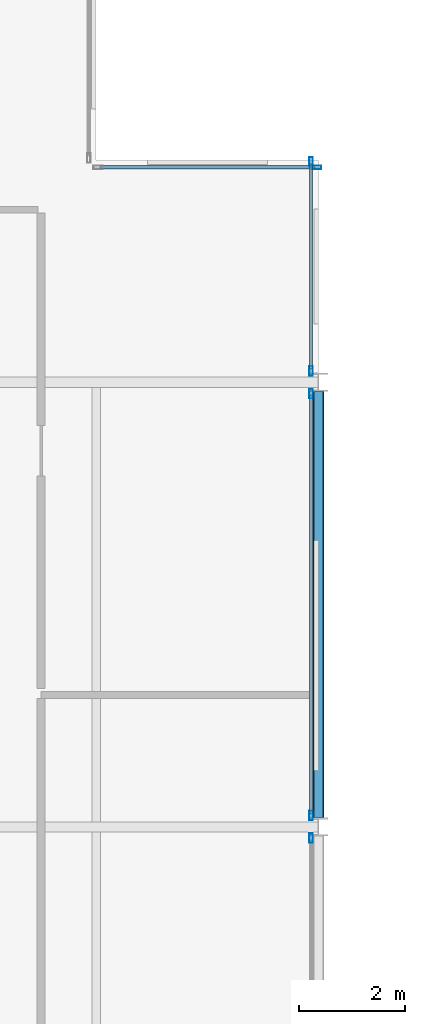
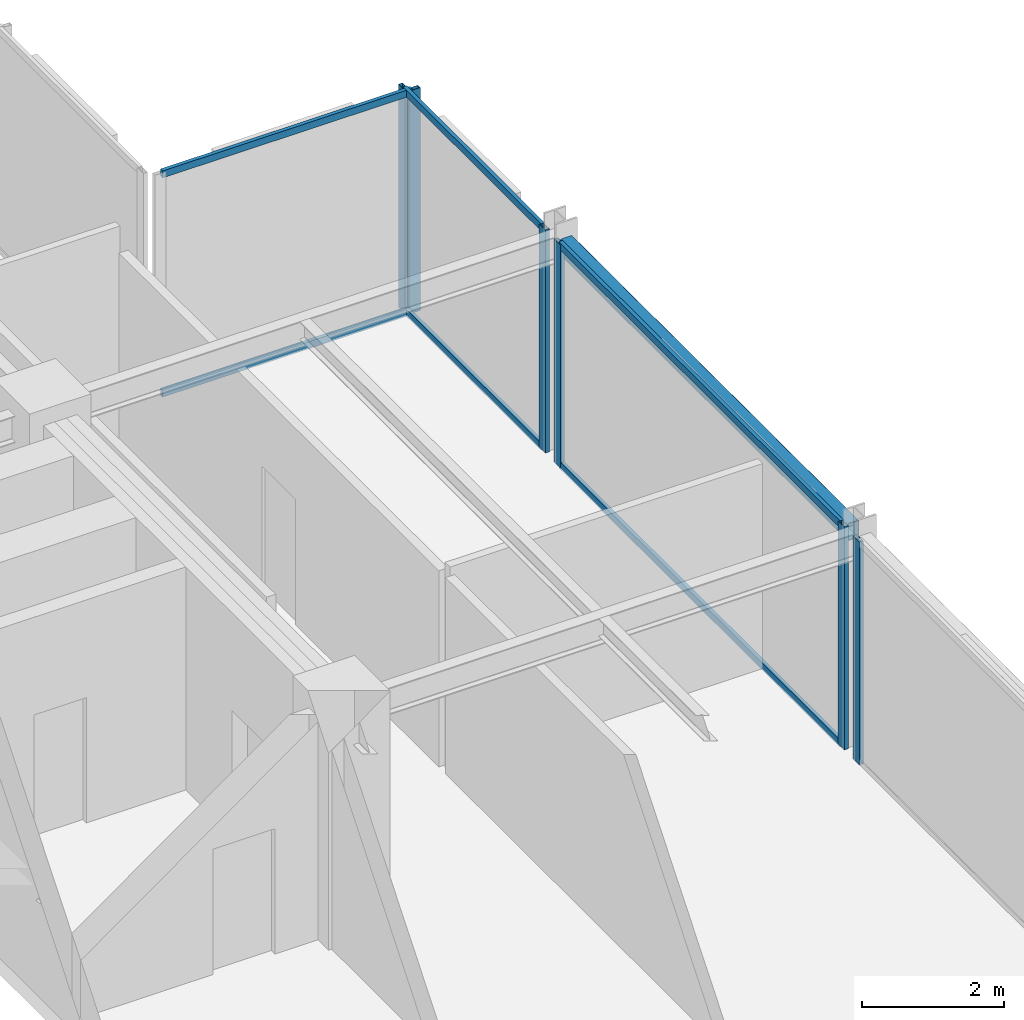
# One storey, part 22 of 29: 12 members, 1 beam, 4 elements without a shape of their own.
"""IFC4 building model written with IfcOpenShell, lengths in metres."""

from ifc_helpers import new_model, si_unit, direction, frame, origin, origin_2d, place, context, subcontext, project, spatial, hollow_rectangle, extrude, material, layer, layer_set, material_profile, profile_set, type_object, element, aggregate, save


model = new_model("IFC4")

# Units and contexts
model_context = context("Model", 3, precision=1e-05, world=origin(), true_north=direction((0.0, 1.0)))
body_context = subcontext(model_context, "Body", "Model", "MODEL_VIEW")
ifc_project = project(units=[si_unit("LENGTHUNIT", "METRE"), si_unit("AREAUNIT", "SQUARE_METRE"), si_unit("VOLUMEUNIT", "CUBIC_METRE"), si_unit("PLANEANGLEUNIT", "RADIAN"), si_unit("MASSUNIT", "GRAM", prefix="KILO")], contexts=[model_context])

# Site, building, storey
site_placement = place(None, origin())
site = spatial("IfcSite", under=ifc_project, at=site_placement, CompositionType="ELEMENT")
building_placement = place(site_placement, origin())
building = spatial("IfcBuilding", under=site, at=building_placement, Name="Nerrivon Quay Data Exchange", CompositionType="ELEMENT")
storey_placement = place(building_placement, frame((0.0, 0.0, 200.10009765625)))
storey = spatial("IfcBuildingStorey", under=building, at=storey_placement, Name="L47", CompositionType="ELEMENT", Elevation=200.10009765625)

# Beam
ifc_material_1 = material(Name="Steel Grade C350L0 (350 MPa)", Category="steel")
ifc_material_profile_1 = material_profile(ifc_material_1, hollow_rectangle(XDim=0.199951171875, YDim=0.300048828125, WallThickness=0.012451171875, InnerFilletRadius=0.018798828125, OuterFilletRadius=0.03125, at=origin_2d()), Name="300x200x12.5RHS")
ifc_profile_set_1 = profile_set([ifc_material_profile_1], Name="Steel Grade C350L0 (350 MPa)")
beam_type = type_object("IfcBeamType", Name="BM-SP3-300x200RHS", PredefinedType="SPANDREL", material=ifc_profile_set_1)
beam_placement = place(storey_placement, frame((25.199951171875, 33.77490234375, 3.6748046875), z_axis=(0.0, 1.0, 0.0), x_axis=(-1.0, 0.0, 0.0)))
element("IfcBeam", 1, at=beam_placement, inside=storey, type_object=beam_type, Name="L47 NS Girder X=25.2 (33.6..42.0)", PredefinedType="SPANDREL", context=body_context, shape_type="SweptSolid", body=[
    extrude(hollow_rectangle(XDim=0.199951171875, YDim=0.300048828125, WallThickness=0.012451171875, InnerFilletRadius=0.018798828125, OuterFilletRadius=0.03125, at=origin_2d()), origin(), (0.0, 0.0, 1.0), 8.050048828125),
])

# Curtain wall, member
ifc_material_2 = material(Name="Anodised aluminium 6063-T6", Category="aluminium")
ifc_layer = layer(ifc_material_2, 0.195068359375)
ifc_layer_set = layer_set([ifc_layer], Name="Anodised aluminium 6063-T6")
curtain_wall_type = type_object("IfcCurtainWallType", Name="CW-SYS-06", PredefinedType="NOTDEFINED", material=ifc_layer_set)
curtain_wall_1_placement = place(storey_placement, origin())
curtain_wall_1 = element("IfcCurtainWall", 2, at=curtain_wall_1_placement, inside=storey, type_object=curtain_wall_type, Name="L47 Unitised Curtain Wall 12", PredefinedType="NOTDEFINED")
ifc_material_profile_2 = material_profile(ifc_material_2, hollow_rectangle(XDim=0.06494140625, YDim=0.179931640625, WallThickness=0.00341796875, at=origin_2d()), Name="ALU-MULL-180x65")
ifc_profile_set_2 = profile_set([ifc_material_profile_2], Name="Anodised aluminium 6063-T6")
member_type_1 = type_object("IfcMemberType", Name="CWM-180x65", PredefinedType="MULLION", material=ifc_profile_set_2)
member_1_placement = place(storey_placement, frame((25.16259765625, 46.06005859375, 0.0), z_axis=(0.0, 0.0, 1.0), x_axis=(0.0, 1.0, 0.0)))
member_1 = element("IfcMember", 3, at=member_1_placement, type_object=member_type_1, Name="CW06 mullion 2", PredefinedType="MULLION", context=body_context, shape_type="SweptSolid", body=[
    extrude(hollow_rectangle(XDim=0.06494140625, YDim=0.179931640625, WallThickness=0.00341796875, at=origin_2d()), origin(), (0.0, 0.0, 1.0), 3.824951171875),
])

# Curtain wall, members
curtain_wall_2_placement = place(storey_placement, origin())
curtain_wall_2 = element("IfcCurtainWall", 4, at=curtain_wall_2_placement, inside=storey, type_object=curtain_wall_type, Name="L47 Unitised Curtain Wall 13", PredefinedType="NOTDEFINED")
member_2_placement = place(storey_placement, frame((25.06005859375, 46.16259765625, 0.0), z_axis=(0.0, 0.0, 1.0), x_axis=(1.0, 0.0, 0.0)))
member_2 = element("IfcMember", 5, at=member_2_placement, type_object=member_type_1, Name="CW06 mullion 1", PredefinedType="MULLION", context=body_context, shape_type="SweptSolid", body=[
    extrude(hollow_rectangle(XDim=0.06494140625, YDim=0.179931640625, WallThickness=0.00341796875, at=origin_2d()), origin(), (0.0, 0.0, 1.0), 3.824951171875),
])
member_3_placement = place(storey_placement, frame((25.06005859375, 42.21240234375, 0.0), z_axis=(0.0, 0.0, 1.0), x_axis=(1.0, 0.0, 0.0)))
member_3 = element("IfcMember", 6, at=member_3_placement, type_object=member_type_1, Name="CW06 mullion 2", PredefinedType="MULLION", context=body_context, shape_type="SweptSolid", body=[
    extrude(hollow_rectangle(XDim=0.06494140625, YDim=0.179931640625, WallThickness=0.00341796875, at=origin_2d()), origin(), (0.0, 0.0, 1.0), 3.824951171875),
])

curtain_wall_3_placement = place(storey_placement, origin())
curtain_wall_3 = element("IfcCurtainWall", 7, at=curtain_wall_3_placement, inside=storey, type_object=curtain_wall_type, Name="L47 Unitised Curtain Wall 14", PredefinedType="NOTDEFINED")
member_4_placement = place(storey_placement, frame((25.06005859375, 41.78759765625, 0.0), z_axis=(0.0, 0.0, 1.0), x_axis=(1.0, 0.0, 0.0)))
member_4 = element("IfcMember", 8, at=member_4_placement, type_object=member_type_1, Name="CW06 mullion 1", PredefinedType="MULLION", context=body_context, shape_type="SweptSolid", body=[
    extrude(hollow_rectangle(XDim=0.06494140625, YDim=0.179931640625, WallThickness=0.00341796875, at=origin_2d()), origin(), (0.0, 0.0, 1.0), 3.824951171875),
])
member_5_placement = place(storey_placement, frame((25.06005859375, 33.8125, 0.0), z_axis=(0.0, 0.0, 1.0), x_axis=(1.0, 0.0, 0.0)))
member_5 = element("IfcMember", 9, at=member_5_placement, type_object=member_type_1, Name="CW06 mullion 2", PredefinedType="MULLION", context=body_context, shape_type="SweptSolid", body=[
    extrude(hollow_rectangle(XDim=0.06494140625, YDim=0.179931640625, WallThickness=0.00341796875, at=origin_2d()), origin(), (0.0, 0.0, 1.0), 3.824951171875),
])

# Curtain wall, member
curtain_wall_4_placement = place(storey_placement, origin())
curtain_wall_4 = element("IfcCurtainWall", 10, at=curtain_wall_4_placement, inside=storey, type_object=curtain_wall_type, Name="L47 Unitised Curtain Wall 15", PredefinedType="NOTDEFINED")
member_6_placement = place(storey_placement, frame((25.06005859375, 33.387451171875, 0.0), z_axis=(0.0, 0.0, 1.0), x_axis=(1.0, 0.0, 0.0)))
member_6 = element("IfcMember", 11, at=member_6_placement, type_object=member_type_1, Name="CW06 mullion 1", PredefinedType="MULLION", context=body_context, shape_type="SweptSolid", body=[
    extrude(hollow_rectangle(XDim=0.06494140625, YDim=0.179931640625, WallThickness=0.00341796875, at=origin_2d()), origin(), (0.0, 0.0, 1.0), 3.824951171875),
])
aggregate(curtain_wall_4, [member_6])

# Member
ifc_material_profile_3 = material_profile(ifc_material_2, hollow_rectangle(XDim=0.06005859375, YDim=0.1201171875, WallThickness=0.003173828125, at=origin_2d()), Name="ALU-TRAN-120x60")
ifc_profile_set_3 = profile_set([ifc_material_profile_3], Name="Anodised aluminium 6063-T6")
member_type_2 = type_object("IfcMemberType", Name="CWT-120x60", PredefinedType="USERDEFINED", material=ifc_profile_set_3)
member_7_placement = place(storey_placement, frame((21.074951171875, 46.06005859375, 0.032470703125), z_axis=(1.0, 0.0, 0.0), x_axis=(0.0, 1.0, 0.0)))
member_7 = element("IfcMember", 12, at=member_7_placement, type_object=member_type_2, Name="CW06 transom 1.1", ObjectType="TRANSOM", PredefinedType="USERDEFINED", context=body_context, shape_type="SweptSolid", body=[
    extrude(hollow_rectangle(XDim=0.06005859375, YDim=0.1201171875, WallThickness=0.003173828125, at=origin_2d()), origin(), (0.0, 0.0, 1.0), 4.050048828125),
])

member_8_placement = place(storey_placement, frame((21.074951171875, 46.06005859375, 3.79248046875), z_axis=(1.0, 0.0, 0.0), x_axis=(0.0, 1.0, 0.0)))
member_8 = element("IfcMember", 13, at=member_8_placement, type_object=member_type_2, Name="CW06 transom 1.2", ObjectType="TRANSOM", PredefinedType="USERDEFINED", context=body_context, shape_type="SweptSolid", body=[
    extrude(hollow_rectangle(XDim=0.06005859375, YDim=0.1201171875, WallThickness=0.003173828125, at=origin_2d()), origin(), (0.0, 0.0, 1.0), 4.050048828125),
])

aggregate(curtain_wall_1, [member_1, member_7, member_8])

member_9_placement = place(storey_placement, frame((25.06005859375, 46.125, 0.032470703125), z_axis=(0.0, -1.0, 0.0), x_axis=(1.0, 0.0, 0.0)))
member_9 = element("IfcMember", 14, at=member_9_placement, type_object=member_type_2, Name="CW06 transom 1.1", ObjectType="TRANSOM", PredefinedType="USERDEFINED", context=body_context, shape_type="SweptSolid", body=[
    extrude(hollow_rectangle(XDim=0.06005859375, YDim=0.1201171875, WallThickness=0.003173828125, at=origin_2d()), origin(), (0.0, 0.0, 1.0), 3.875),
])

member_10_placement = place(storey_placement, frame((25.06005859375, 46.125, 3.79248046875), z_axis=(0.0, -1.0, 0.0), x_axis=(1.0, 0.0, 0.0)))
member_10 = element("IfcMember", 15, at=member_10_placement, type_object=member_type_2, Name="CW06 transom 1.2", ObjectType="TRANSOM", PredefinedType="USERDEFINED", context=body_context, shape_type="SweptSolid", body=[
    extrude(hollow_rectangle(XDim=0.06005859375, YDim=0.1201171875, WallThickness=0.003173828125, at=origin_2d()), origin(), (0.0, 0.0, 1.0), 3.875),
])

aggregate(curtain_wall_2, [member_2, member_3, member_9, member_10])

member_11_placement = place(storey_placement, frame((25.06005859375, 41.75, 0.032470703125), z_axis=(0.0, -1.0, 0.0), x_axis=(1.0, 0.0, 0.0)))
member_11 = element("IfcMember", 16, at=member_11_placement, type_object=member_type_2, Name="CW06 transom 1.1", ObjectType="TRANSOM", PredefinedType="USERDEFINED", context=body_context, shape_type="SweptSolid", body=[
    extrude(hollow_rectangle(XDim=0.06005859375, YDim=0.1201171875, WallThickness=0.003173828125, at=origin_2d()), origin(), (0.0, 0.0, 1.0), 7.89990234375),
])

member_12_placement = place(storey_placement, frame((25.06005859375, 41.75, 3.79248046875), z_axis=(0.0, -1.0, 0.0), x_axis=(1.0, 0.0, 0.0)))
member_12 = element("IfcMember", 17, at=member_12_placement, type_object=member_type_2, Name="CW06 transom 1.2", ObjectType="TRANSOM", PredefinedType="USERDEFINED", context=body_context, shape_type="SweptSolid", body=[
    extrude(hollow_rectangle(XDim=0.06005859375, YDim=0.1201171875, WallThickness=0.003173828125, at=origin_2d()), origin(), (0.0, 0.0, 1.0), 7.89990234375),
])

aggregate(curtain_wall_3, [member_4, member_5, member_11, member_12])

save(model, "model.ifc")
